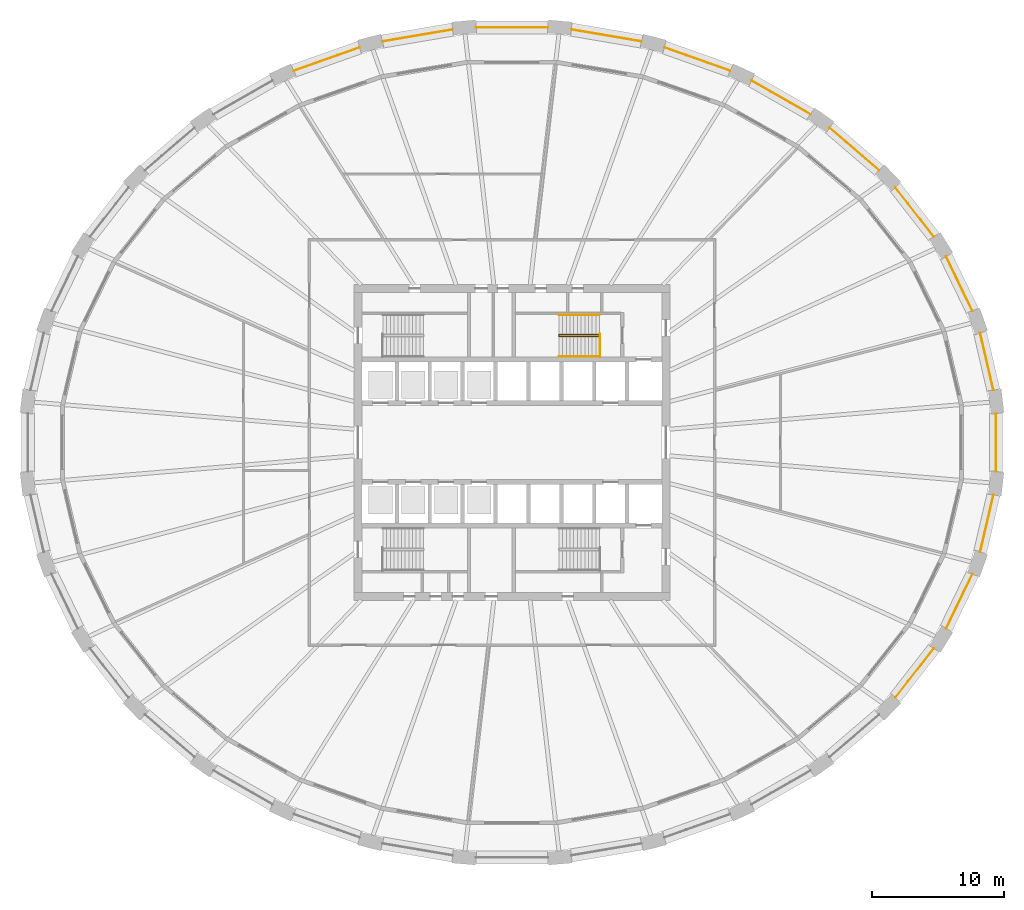
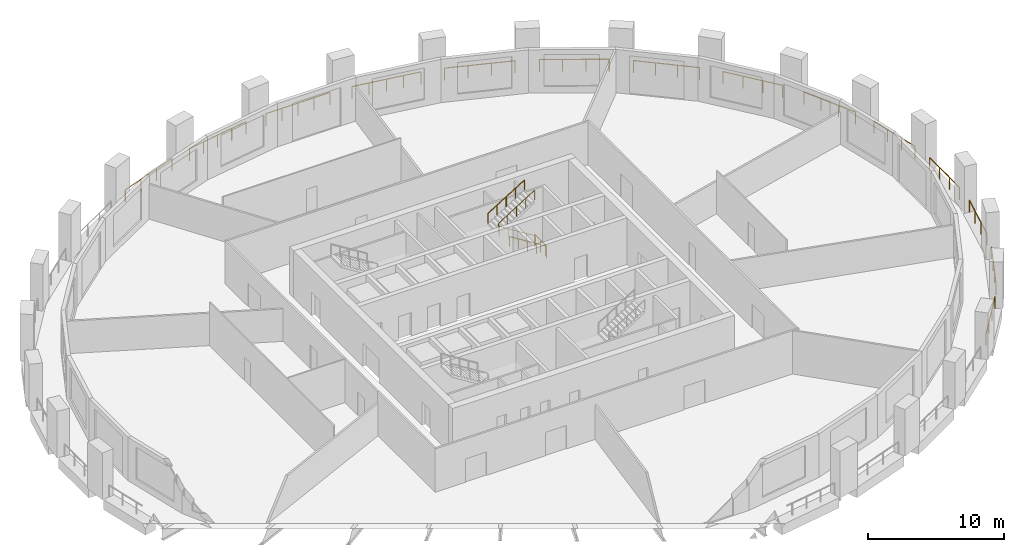
# One storey, part 9 of 10: 18 railings.
"""IFC4 building model written with IfcOpenShell, lengths in metres."""

from ifc_helpers import new_model, si_unit, direction, frame, origin, origin_2d, place, context, subcontext, project, spatial, circle, extrude, material, type_object, element, save


model = new_model("IFC4")

# Units and contexts
model_context = context("Model", 3, precision=1e-05, world=origin(), true_north=direction((0.0, 1.0)))
body_context = subcontext(model_context, "Body", "Model", "MODEL_VIEW")
ifc_project = project(units=[si_unit("LENGTHUNIT", "METRE"), si_unit("AREAUNIT", "SQUARE_METRE"), si_unit("VOLUMEUNIT", "CUBIC_METRE"), si_unit("PLANEANGLEUNIT", "RADIAN"), si_unit("MASSUNIT", "GRAM", prefix="KILO")], contexts=[model_context])

# Site, building, storey
site_placement = place(None, origin())
site = spatial("IfcSite", under=ifc_project, at=site_placement, CompositionType="ELEMENT")
building_placement = place(site_placement, origin())
building = spatial("IfcBuilding", under=site, at=building_placement, Name="Halqa Exchange Tower", CompositionType="ELEMENT")
storey_placement = place(building_placement, frame((0.0, 0.0, 65.5)))
storey = spatial("IfcBuildingStorey", under=building, at=storey_placement, Name="L14", CompositionType="ELEMENT", Elevation=65.5)

# Railings
ifc_material = material(Name="Stainless steel", Category="steel")
railing_type_1 = type_object("IfcRailingType", Name="Guard 1100 stainless steel", PredefinedType="GUARDRAIL", material=ifc_material)
railing_1_placement = place(storey_placement, frame((36.59228515625, 3.98291015625, 0.0)))
element("IfcRailing", 1, at=railing_1_placement, inside=storey, type_object=railing_type_1, Name="Loggia guard 1", PredefinedType="GUARDRAIL", context=body_context, shape_type="SweptSolid", body=[
    extrude(circle(Radius=0.02392578125, at=origin_2d()), frame((0.0, 0.0, 1.076171875), z_axis=(-0.226035930203, 0.974118965146, 0.0), x_axis=(-0.974118965146, -0.226035930203, 0.0)), (0.0, 0.0, 1.0), 4.455322265625),
    extrude(circle(Radius=0.02099609375, at=origin_2d()), origin(), (0.0, 0.0, 1.0), 1.052001953125),
    extrude(circle(Radius=0.02099609375, at=origin_2d()), frame((-0.335693359375, 1.44677734375, 0.0)), (0.0, 0.0, 1.0), 1.052001953125),
    extrude(circle(Radius=0.02099609375, at=origin_2d()), frame((-0.67138671875, 2.893310546875, 0.0)), (0.0, 0.0, 1.0), 1.052001953125),
    extrude(circle(Radius=0.02099609375, at=origin_2d()), frame((-1.007080078125, 4.340087890625, 0.0)), (0.0, 0.0, 1.0), 1.052001953125),
])
railing_2_placement = place(storey_placement, frame((34.989990234375, 10.010009765625, 0.0)))
element("IfcRailing", 2, at=railing_2_placement, inside=storey, type_object=railing_type_1, Name="Loggia guard 2", PredefinedType="GUARDRAIL", context=body_context, shape_type="SweptSolid", body=[
    extrude(circle(Radius=0.02392578125, at=origin_2d()), frame((0.0, 0.0, 1.076171875), z_axis=(-0.435090791332, 0.900386585472, 0.0), x_axis=(-0.900386585472, -0.435090791332, 0.0)), (0.0, 0.0, 1.0), 4.574951171875),
    extrude(circle(Radius=0.02099609375, at=origin_2d()), origin(), (0.0, 0.0, 1.0), 1.052001953125),
    extrude(circle(Radius=0.02099609375, at=origin_2d()), frame((-0.66357421875, 1.373046875, 0.0)), (0.0, 0.0, 1.0), 1.052001953125),
    extrude(circle(Radius=0.02099609375, at=origin_2d()), frame((-1.326904296875, 2.74609375, 0.0)), (0.0, 0.0, 1.0), 1.052001953125),
    extrude(circle(Radius=0.02099609375, at=origin_2d()), frame((-1.990478515625, 4.119140625, 0.0)), (0.0, 0.0, 1.0), 1.052001953125),
])
railing_3_placement = place(storey_placement, frame((32.0546875, 15.649169921875, 0.0)))
element("IfcRailing", 3, at=railing_3_placement, inside=storey, type_object=railing_type_1, Name="Loggia guard 3", PredefinedType="GUARDRAIL", context=body_context, shape_type="SweptSolid", body=[
    extrude(circle(Radius=0.02392578125, at=origin_2d()), frame((0.0, 0.0, 1.076171875), z_axis=(-0.614797843814, 0.788684735012, 0.0), x_axis=(-0.788684735012, -0.614797843814, 0.0)), (0.0, 0.0, 1.0), 4.749755859375),
    extrude(circle(Radius=0.02099609375, at=origin_2d()), origin(), (0.0, 0.0, 1.0), 1.052001953125),
    extrude(circle(Radius=0.02099609375, at=origin_2d()), frame((-0.973388671875, 1.248779296875, 0.0)), (0.0, 0.0, 1.0), 1.052001953125),
    extrude(circle(Radius=0.02099609375, at=origin_2d()), frame((-1.94677734375, 2.497314453125, 0.0)), (0.0, 0.0, 1.0), 1.052001953125),
    extrude(circle(Radius=0.02099609375, at=origin_2d()), frame((-2.920166015625, 3.74609375, 0.0)), (0.0, 0.0, 1.0), 1.052001953125),
])
railing_4_placement = place(storey_placement, frame((27.897705078125, 20.690673828125, 0.0)))
element("IfcRailing", 4, at=railing_4_placement, inside=storey, type_object=railing_type_1, Name="Loggia guard 4", PredefinedType="GUARDRAIL", context=body_context, shape_type="SweptSolid", body=[
    extrude(circle(Radius=0.02392578125, at=origin_2d()), frame((0.0, 0.0, 1.076171875), z_axis=(-0.75924963979, 0.650799496373, 0.0), x_axis=(-0.650799496373, -0.75924963979, 0.0)), (0.0, 0.0, 1.0), 4.950439453125),
    extrude(circle(Radius=0.02099609375, at=origin_2d()), origin(), (0.0, 0.0, 1.0), 1.052001953125),
    extrude(circle(Radius=0.02099609375, at=origin_2d()), frame((-1.2529296875, 1.073974609375, 0.0)), (0.0, 0.0, 1.0), 1.052001953125),
    extrude(circle(Radius=0.02099609375, at=origin_2d()), frame((-2.505615234375, 2.147705078125, 0.0)), (0.0, 0.0, 1.0), 1.052001953125),
    extrude(circle(Radius=0.02099609375, at=origin_2d()), frame((-3.758544921875, 3.2216796875, 0.0)), (0.0, 0.0, 1.0), 1.052001953125),
])
railing_5_placement = place(storey_placement, frame((22.6748046875, 24.9453125, 0.0)))
element("IfcRailing", 5, at=railing_5_placement, inside=storey, type_object=railing_type_1, Name="Loggia guard 5", PredefinedType="GUARDRAIL", context=body_context, shape_type="SweptSolid", body=[
    extrude(circle(Radius=0.02392578125, at=origin_2d()), frame((0.0, 0.0, 1.076171875), z_axis=(-0.867766755892, 0.496971686688, 0.0), x_axis=(-0.496971686688, -0.867766755892, 0.0)), (0.0, 0.0, 1.0), 5.14501953125),
    extrude(circle(Radius=0.02099609375, at=origin_2d()), origin(), (0.0, 0.0, 1.0), 1.052001953125),
    extrude(circle(Radius=0.02099609375, at=origin_2d()), frame((-1.48828125, 0.852294921875, 0.0)), (0.0, 0.0, 1.0), 1.052001953125),
    extrude(circle(Radius=0.02099609375, at=origin_2d()), frame((-2.976318359375, 1.70458984375, 0.0)), (0.0, 0.0, 1.0), 1.052001953125),
    extrude(circle(Radius=0.02099609375, at=origin_2d()), frame((-4.464599609375, 2.556884765625, 0.0)), (0.0, 0.0, 1.0), 1.052001953125),
])
railing_6_placement = place(storey_placement, frame((16.581298828125, 28.250732421875, 0.0)))
element("IfcRailing", 6, at=railing_6_placement, inside=storey, type_object=railing_type_1, Name="Loggia guard 6", PredefinedType="GUARDRAIL", context=body_context, shape_type="SweptSolid", body=[
    extrude(circle(Radius=0.02392578125, at=origin_2d()), frame((0.0, 0.0, 1.076171875), z_axis=(-0.942376278885, 0.334554851998, 0.0), x_axis=(-0.334554851998, -0.942376278885, 0.0)), (0.0, 0.0, 1.0), 5.305908203125),
    extrude(circle(Radius=0.02099609375, at=origin_2d()), origin(), (0.0, 0.0, 1.0), 1.052001953125),
    extrude(circle(Radius=0.02099609375, at=origin_2d()), frame((-1.666748046875, 0.591796875, 0.0)), (0.0, 0.0, 1.0), 1.052001953125),
    extrude(circle(Radius=0.02099609375, at=origin_2d()), frame((-3.33349609375, 1.183349609375, 0.0)), (0.0, 0.0, 1.0), 1.052001953125),
    extrude(circle(Radius=0.02099609375, at=origin_2d()), frame((-5.000244140625, 1.775146484375, 0.0)), (0.0, 0.0, 1.0), 1.052001953125),
])
railing_7_placement = place(storey_placement, frame((9.845703125, 30.478515625, 0.0)))
element("IfcRailing", 7, at=railing_7_placement, inside=storey, type_object=railing_type_1, Name="Loggia guard 7", PredefinedType="GUARDRAIL", context=body_context, shape_type="SweptSolid", body=[
    extrude(circle(Radius=0.02392578125, at=origin_2d()), frame((0.0, 0.0, 1.076171875), z_axis=(-0.985784942873, 0.168012042438, 0.0), x_axis=(-0.168012042438, -0.985784942873, 0.0)), (0.0, 0.0, 1.0), 5.411376953125),
    extrude(circle(Radius=0.02099609375, at=origin_2d()), origin(), (0.0, 0.0, 1.0), 1.052001953125),
    extrude(circle(Radius=0.02099609375, at=origin_2d()), frame((-1.33349609375, 0.227294921875, 0.0)), (0.0, 0.0, 1.0), 1.052001953125),
    extrude(circle(Radius=0.02099609375, at=origin_2d()), frame((-2.667236328125, 0.45458984375, 0.0)), (0.0, 0.0, 1.0), 1.052001953125),
    extrude(circle(Radius=0.02099609375, at=origin_2d()), frame((-4.0009765625, 0.681884765625, 0.0)), (0.0, 0.0, 1.0), 1.052001953125),
    extrude(circle(Radius=0.02099609375, at=origin_2d()), frame((-5.33447265625, 0.9091796875, 0.0)), (0.0, 0.0, 1.0), 1.052001953125),
])
railing_8_placement = place(storey_placement, frame((2.72412109375, 31.5390625, 0.0)))
element("IfcRailing", 8, at=railing_8_placement, inside=storey, type_object=railing_type_1, Name="Loggia guard 8", PredefinedType="GUARDRAIL", context=body_context, shape_type="SweptSolid", body=[
    extrude(circle(Radius=0.02392578125, at=origin_2d()), frame((0.0, 0.0, 1.076171875), z_axis=(-1.0, 0.0, 0.0), x_axis=(0.0, -1.0, 0.0)), (0.0, 0.0, 1.0), 5.4482421875),
    extrude(circle(Radius=0.02099609375, at=origin_2d()), origin(), (0.0, 0.0, 1.0), 1.052001953125),
    extrude(circle(Radius=0.02099609375, at=origin_2d()), frame((-1.362060546875, 0.0, 0.0)), (0.0, 0.0, 1.0), 1.052001953125),
    extrude(circle(Radius=0.02099609375, at=origin_2d()), frame((-2.72412109375, 0.0, 0.0)), (0.0, 0.0, 1.0), 1.052001953125),
    extrude(circle(Radius=0.02099609375, at=origin_2d()), frame((-4.086181640625, 0.0, 0.0)), (0.0, 0.0, 1.0), 1.052001953125),
    extrude(circle(Radius=0.02099609375, at=origin_2d()), frame((-5.4482421875, 0.0, 0.0)), (0.0, 0.0, 1.0), 1.052001953125),
])
railing_9_placement = place(storey_placement, frame((-4.51123046875, 31.3876953125, 0.0)))
element("IfcRailing", 9, at=railing_9_placement, inside=storey, type_object=railing_type_1, Name="Loggia guard 9", PredefinedType="GUARDRAIL", context=body_context, shape_type="SweptSolid", body=[
    extrude(circle(Radius=0.02392578125, at=origin_2d()), frame((0.0, 0.0, 1.076171875), z_axis=(-0.985784942873, -0.168012042438, 0.0), x_axis=(0.168012042438, -0.985784942873, 0.0)), (0.0, 0.0, 1.0), 5.411376953125),
    extrude(circle(Radius=0.02099609375, at=origin_2d()), origin(), (0.0, 0.0, 1.0), 1.052001953125),
    extrude(circle(Radius=0.02099609375, at=origin_2d()), frame((-1.33349609375, -0.227294921875, 0.0)), (0.0, 0.0, 1.0), 1.052001953125),
    extrude(circle(Radius=0.02099609375, at=origin_2d()), frame((-2.667236328125, -0.45458984375, 0.0)), (0.0, 0.0, 1.0), 1.052001953125),
    extrude(circle(Radius=0.02099609375, at=origin_2d()), frame((-4.0009765625, -0.681884765625, 0.0)), (0.0, 0.0, 1.0), 1.052001953125),
    extrude(circle(Radius=0.02099609375, at=origin_2d()), frame((-5.33447265625, -0.9091796875, 0.0)), (0.0, 0.0, 1.0), 1.052001953125),
])
railing_10_placement = place(storey_placement, frame((-11.5810546875, 30.02587890625, 0.0)))
element("IfcRailing", 10, at=railing_10_placement, inside=storey, type_object=railing_type_1, Name="Loggia guard 10", PredefinedType="GUARDRAIL", context=body_context, shape_type="SweptSolid", body=[
    extrude(circle(Radius=0.02392578125, at=origin_2d()), frame((0.0, 0.0, 1.076171875), z_axis=(-0.942376278885, -0.334554851998, 0.0), x_axis=(0.334554851998, -0.942376278885, 0.0)), (0.0, 0.0, 1.0), 5.305908203125),
    extrude(circle(Radius=0.02099609375, at=origin_2d()), origin(), (0.0, 0.0, 1.0), 1.052001953125),
    extrude(circle(Radius=0.02099609375, at=origin_2d()), frame((-1.666748046875, -0.591796875, 0.0)), (0.0, 0.0, 1.0), 1.052001953125),
    extrude(circle(Radius=0.02099609375, at=origin_2d()), frame((-3.33349609375, -1.183349609375, 0.0)), (0.0, 0.0, 1.0), 1.052001953125),
    extrude(circle(Radius=0.02099609375, at=origin_2d()), frame((-5.000244140625, -1.775146484375, 0.0)), (0.0, 0.0, 1.0), 1.052001953125),
])
railing_11_placement = place(storey_placement, frame((29.134521484375, -19.395263671875, 0.0)))
element("IfcRailing", 11, at=railing_11_placement, inside=storey, type_object=railing_type_1, Name="Loggia guard 29", PredefinedType="GUARDRAIL", context=body_context, shape_type="SweptSolid", body=[
    extrude(circle(Radius=0.02392578125, at=origin_2d()), frame((0.0, 0.0, 1.076171875), z_axis=(0.614797843814, 0.788684735012, 0.0), x_axis=(-0.788684735012, 0.614797843814, 0.0)), (0.0, 0.0, 1.0), 4.749755859375),
    extrude(circle(Radius=0.02099609375, at=origin_2d()), origin(), (0.0, 0.0, 1.0), 1.052001953125),
    extrude(circle(Radius=0.02099609375, at=origin_2d()), frame((0.973388671875, 1.248779296875, 0.0)), (0.0, 0.0, 1.0), 1.052001953125),
    extrude(circle(Radius=0.02099609375, at=origin_2d()), frame((1.94677734375, 2.497314453125, 0.0)), (0.0, 0.0, 1.0), 1.052001953125),
    extrude(circle(Radius=0.02099609375, at=origin_2d()), frame((2.920166015625, 3.74609375, 0.0)), (0.0, 0.0, 1.0), 1.052001953125),
])
railing_12_placement = place(storey_placement, frame((32.99951171875, -14.129150390625, 0.0)))
element("IfcRailing", 12, at=railing_12_placement, inside=storey, type_object=railing_type_1, Name="Loggia guard 30", PredefinedType="GUARDRAIL", context=body_context, shape_type="SweptSolid", body=[
    extrude(circle(Radius=0.02392578125, at=origin_2d()), frame((0.0, 0.0, 1.076171875), z_axis=(0.435090791332, 0.900386585472, 0.0), x_axis=(-0.900386585472, 0.435090791332, 0.0)), (0.0, 0.0, 1.0), 4.574951171875),
    extrude(circle(Radius=0.02099609375, at=origin_2d()), origin(), (0.0, 0.0, 1.0), 1.052001953125),
    extrude(circle(Radius=0.02099609375, at=origin_2d()), frame((0.66357421875, 1.373046875, 0.0)), (0.0, 0.0, 1.0), 1.052001953125),
    extrude(circle(Radius=0.02099609375, at=origin_2d()), frame((1.326904296875, 2.74609375, 0.0)), (0.0, 0.0, 1.0), 1.052001953125),
    extrude(circle(Radius=0.02099609375, at=origin_2d()), frame((1.990478515625, 4.119140625, 0.0)), (0.0, 0.0, 1.0), 1.052001953125),
])
railing_13_placement = place(storey_placement, frame((35.585205078125, -8.322998046875, 0.0)))
element("IfcRailing", 13, at=railing_13_placement, inside=storey, type_object=railing_type_1, Name="Loggia guard 31", PredefinedType="GUARDRAIL", context=body_context, shape_type="SweptSolid", body=[
    extrude(circle(Radius=0.02392578125, at=origin_2d()), frame((0.0, 0.0, 1.076171875), z_axis=(0.226035930203, 0.974118965146, 0.0), x_axis=(-0.974118965146, 0.226035930203, 0.0)), (0.0, 0.0, 1.0), 4.455322265625),
    extrude(circle(Radius=0.02099609375, at=origin_2d()), origin(), (0.0, 0.0, 1.0), 1.052001953125),
    extrude(circle(Radius=0.02099609375, at=origin_2d()), frame((0.335693359375, 1.44677734375, 0.0)), (0.0, 0.0, 1.0), 1.052001953125),
    extrude(circle(Radius=0.02099609375, at=origin_2d()), frame((0.67138671875, 2.893310546875, 0.0)), (0.0, 0.0, 1.0), 1.052001953125),
    extrude(circle(Radius=0.02099609375, at=origin_2d()), frame((1.007080078125, 4.340087890625, 0.0)), (0.0, 0.0, 1.0), 1.052001953125),
])
railing_14_placement = place(storey_placement, frame((36.795654296875, -2.206298828125, 0.0)))
element("IfcRailing", 14, at=railing_14_placement, inside=storey, type_object=railing_type_1, Name="Loggia guard 32", PredefinedType="GUARDRAIL", context=body_context, shape_type="SweptSolid", body=[
    extrude(circle(Radius=0.02392578125, at=origin_2d()), frame((0.0, 0.0, 1.076171875), z_axis=(0.0, 1.0, 0.0), x_axis=(-1.0, 0.0, 0.0)), (0.0, 0.0, 1.0), 4.41259765625),
    extrude(circle(Radius=0.02099609375, at=origin_2d()), origin(), (0.0, 0.0, 1.0), 1.052001953125),
    extrude(circle(Radius=0.02099609375, at=origin_2d()), frame((0.0, 1.470947265625, 0.0)), (0.0, 0.0, 1.0), 1.052001953125),
    extrude(circle(Radius=0.02099609375, at=origin_2d()), frame((0.0, 2.941650390625, 0.0)), (0.0, 0.0, 1.0), 1.052001953125),
    extrude(circle(Radius=0.02099609375, at=origin_2d()), frame((0.0, 4.41259765625, 0.0)), (0.0, 0.0, 1.0), 1.052001953125),
])
railing_type_2 = type_object("IfcRailingType", Name="Stair handrail 900", PredefinedType="HANDRAIL", material=ifc_material)
railing_15_placement = place(storey_placement, frame((6.64990234375, 8.06005859375, 0.175048828125)))
element("IfcRailing", 15, at=railing_15_placement, inside=storey, type_object=railing_type_2, Name="Handrail ST2.1", PredefinedType="HANDRAIL", context=body_context, shape_type="SweptSolid", body=[
    extrude(circle(Radius=0.02392578125, at=origin_2d()), frame((0.0, 0.0, 0.8759765625), z_axis=(-0.847979421464, 0.0, 0.530029150871), x_axis=(0.0, -1.0, 0.0)), (0.0, 0.0, 1.0), 3.632080078125),
    extrude(circle(Radius=0.02392578125, at=origin_2d()), frame((-3.079833984375, 0.0, 2.80078125), z_axis=(0.0, 0.596406559517, 0.802682512433), x_axis=(-1.0, 0.0, 0.0)), (0.0, 0.0, 1.0), 0.2177734375),
    extrude(circle(Radius=0.02392578125, at=origin_2d()), frame((-3.079833984375, 0.1298828125, 2.9755859375), z_axis=(0.847979421464, 0.0, 0.530029150871), x_axis=(0.0, 1.0, 0.0)), (0.0, 0.0, 1.0), 3.632080078125),
    extrude(circle(Radius=0.02099609375, at=origin_2d()), origin(), (0.0, 0.0, 1.0), 0.851806640625),
    extrude(circle(Radius=0.02099609375, at=origin_2d()), frame((-0.77001953125, 0.0, 0.481201171875)), (0.0, 0.0, 1.0), 0.851806640625),
    extrude(circle(Radius=0.02099609375, at=origin_2d()), frame((-1.5400390625, 0.0, 0.96240234375)), (0.0, 0.0, 1.0), 0.851806640625),
    extrude(circle(Radius=0.02099609375, at=origin_2d()), frame((-2.309814453125, 0.0, 1.44384765625)), (0.0, 0.0, 1.0), 0.851806640625),
    extrude(circle(Radius=0.02099609375, at=origin_2d()), frame((-3.079833984375, 0.0, 1.925048828125)), (0.0, 0.0, 1.0), 0.851806640625),
    extrude(circle(Radius=0.02099609375, at=origin_2d()), frame((-3.079833984375, 0.1298828125, 2.099853515625)), (0.0, 0.0, 1.0), 0.851806640625),
    extrude(circle(Radius=0.02099609375, at=origin_2d()), frame((-2.309814453125, 0.1298828125, 2.5810546875)), (0.0, 0.0, 1.0), 0.851806640625),
    extrude(circle(Radius=0.02099609375, at=origin_2d()), frame((-1.5400390625, 0.1298828125, 3.0625)), (0.0, 0.0, 1.0), 0.851806640625),
    extrude(circle(Radius=0.02099609375, at=origin_2d()), frame((-0.77001953125, 0.1298828125, 3.543701171875)), (0.0, 0.0, 1.0), 0.851806640625),
    extrude(circle(Radius=0.02099609375, at=origin_2d()), frame((0.0, 0.1298828125, 4.02490234375)), (0.0, 0.0, 1.0), 0.851806640625),
])
railing_16_placement = place(storey_placement, frame((6.64990234375, 6.550048828125, 0.175048828125)))
element("IfcRailing", 16, at=railing_16_placement, inside=storey, type_object=railing_type_2, Name="Handrail ST2.2", PredefinedType="HANDRAIL", context=body_context, shape_type="SweptSolid", body=[
    extrude(circle(Radius=0.02392578125, at=origin_2d()), frame((0.0, 0.0, 0.8759765625), z_axis=(-0.847979421464, 0.0, 0.530029150871), x_axis=(0.0, -1.0, 0.0)), (0.0, 0.0, 1.0), 3.632080078125),
    extrude(circle(Radius=0.02099609375, at=origin_2d()), origin(), (0.0, 0.0, 1.0), 0.851806640625),
    extrude(circle(Radius=0.02099609375, at=origin_2d()), frame((-0.77001953125, 0.0, 0.481201171875)), (0.0, 0.0, 1.0), 0.851806640625),
    extrude(circle(Radius=0.02099609375, at=origin_2d()), frame((-1.5400390625, 0.0, 0.96240234375)), (0.0, 0.0, 1.0), 0.851806640625),
    extrude(circle(Radius=0.02099609375, at=origin_2d()), frame((-2.309814453125, 0.0, 1.44384765625)), (0.0, 0.0, 1.0), 0.851806640625),
    extrude(circle(Radius=0.02099609375, at=origin_2d()), frame((-3.079833984375, 0.0, 1.925048828125)), (0.0, 0.0, 1.0), 0.851806640625),
])
railing_17_placement = place(storey_placement, frame((3.570068359375, 9.699951171875, 2.27490234375)))
element("IfcRailing", 17, at=railing_17_placement, inside=storey, type_object=railing_type_2, Name="Handrail ST2.3", PredefinedType="HANDRAIL", context=body_context, shape_type="SweptSolid", body=[
    extrude(circle(Radius=0.02392578125, at=origin_2d()), frame((0.0, 0.0, 0.8759765625), z_axis=(0.847979421464, 0.0, 0.530029150871), x_axis=(0.0, 1.0, 0.0)), (0.0, 0.0, 1.0), 3.632080078125),
    extrude(circle(Radius=0.02099609375, at=origin_2d()), origin(), (0.0, 0.0, 1.0), 0.851806640625),
    extrude(circle(Radius=0.02099609375, at=origin_2d()), frame((0.77001953125, 0.0, 0.481201171875)), (0.0, 0.0, 1.0), 0.851806640625),
    extrude(circle(Radius=0.02099609375, at=origin_2d()), frame((1.5400390625, 0.0, 0.96240234375)), (0.0, 0.0, 1.0), 0.851806640625),
    extrude(circle(Radius=0.02099609375, at=origin_2d()), frame((2.309814453125, 0.0, 1.44384765625)), (0.0, 0.0, 1.0), 0.851806640625),
    extrude(circle(Radius=0.02099609375, at=origin_2d()), frame((3.079833984375, 0.0, 1.925048828125)), (0.0, 0.0, 1.0), 0.851806640625),
])
railing_type_3 = type_object("IfcRailingType", Name="Stair well guard 1100", PredefinedType="GUARDRAIL", material=ifc_material)
railing_18_placement = place(storey_placement, frame((6.699951171875, 6.5, 0.0)))
element("IfcRailing", 18, at=railing_18_placement, inside=storey, type_object=railing_type_3, Name="Guard ST2 well", PredefinedType="GUARDRAIL", context=body_context, shape_type="SweptSolid", body=[
    extrude(circle(Radius=0.02392578125, at=origin_2d()), frame((0.0, 0.0, 1.076171875), z_axis=(0.0, 1.0, 0.0), x_axis=(-1.0, 0.0, 0.0)), (0.0, 0.0, 1.0), 1.75),
    extrude(circle(Radius=0.02099609375, at=origin_2d()), origin(), (0.0, 0.0, 1.0), 1.052001953125),
    extrude(circle(Radius=0.02099609375, at=origin_2d()), frame((0.0, 0.875, 0.0)), (0.0, 0.0, 1.0), 1.052001953125),
    extrude(circle(Radius=0.02099609375, at=origin_2d()), frame((0.0, 1.75, 0.0)), (0.0, 0.0, 1.0), 1.052001953125),
])

save(model, "model.ifc")
